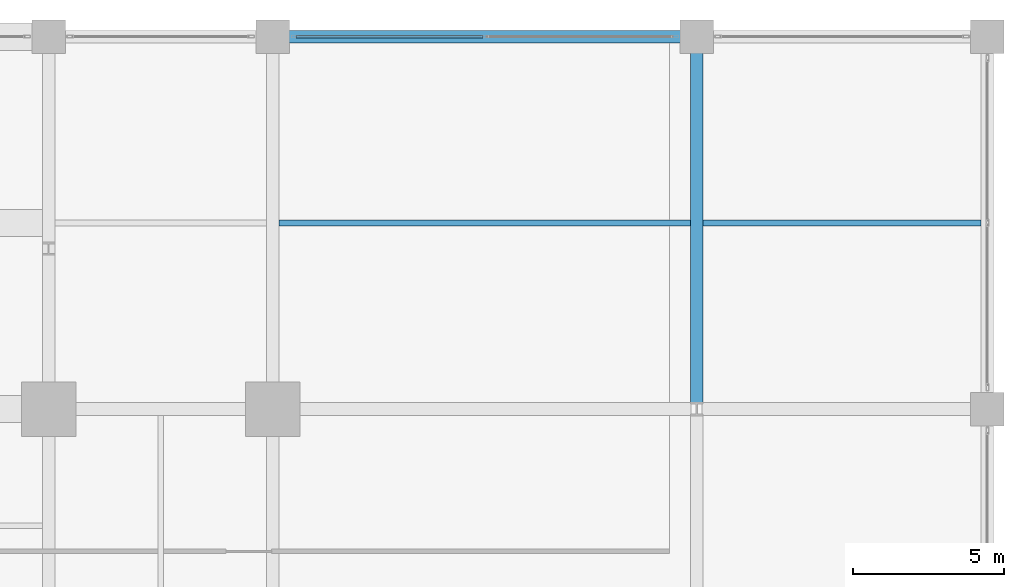
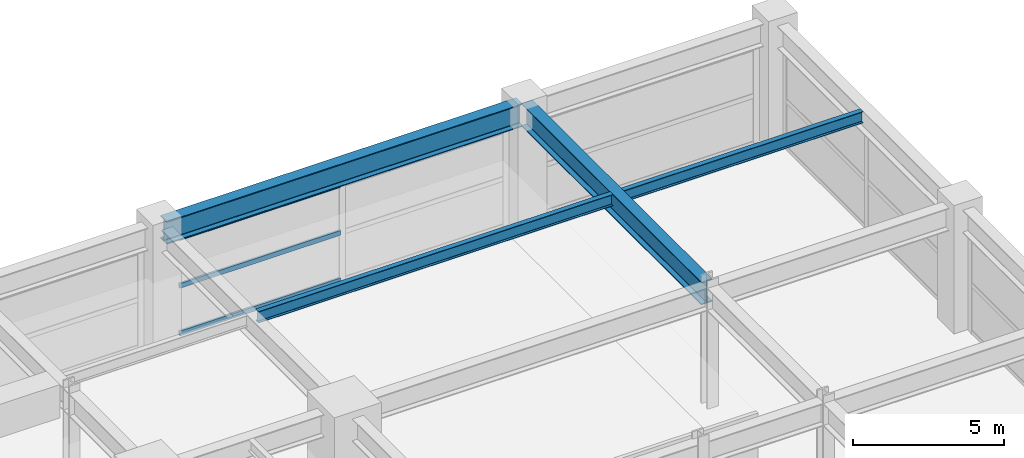
# One storey, part 32 of 45: 4 beams, 3 members, 1 element without a shape of its own.
"""IFC4 building model written with IfcOpenShell, lengths in metres."""

from ifc_helpers import new_model, si_unit, direction, frame, origin, origin_2d, place, context, subcontext, project, spatial, hollow_rectangle, i_section, extrude, material, material_profile, profile_set, type_object, element, aggregate, save


model = new_model("IFC4")

# Units and contexts
model_context = context("Model", 3, precision=1e-05, world=origin(), true_north=direction((0.0, 1.0)))
body_context = subcontext(model_context, "Body", "Model", "MODEL_VIEW")
ifc_project = project(units=[si_unit("LENGTHUNIT", "METRE"), si_unit("AREAUNIT", "SQUARE_METRE"), si_unit("VOLUMEUNIT", "CUBIC_METRE"), si_unit("PLANEANGLEUNIT", "RADIAN"), si_unit("MASSUNIT", "GRAM", prefix="KILO")], contexts=[model_context])

# Site, building, storey
site_placement = place(None, origin())
site = spatial("IfcSite", under=ifc_project, at=site_placement, CompositionType="ELEMENT")
building_placement = place(site_placement, origin())
building = spatial("IfcBuilding", under=site, at=building_placement, Name="Kovane Verandah Tower", CompositionType="ELEMENT")
storey_placement = place(building_placement, frame((0.0, 0.0, 6.0)))
storey = spatial("IfcBuildingStorey", under=building, at=storey_placement, Name="L01", CompositionType="ELEMENT", Elevation=6.0)

# Beams
ifc_material_1 = material(Name="Steel S460", Category="steel")
ifc_material_profile_1 = material_profile(ifc_material_1, i_section(OverallWidth=0.42041015625, OverallDepth=0.9208984375, WebThickness=0.021484375, FlangeThickness=0.03662109375, FilletRadius=0.024169921875, at=origin_2d()), Name="UB914x419x388")
ifc_profile_set_1 = profile_set([ifc_material_profile_1], Name="Steel S460")
beam_type_1 = type_object("IfcBeamType", Name="BM-UB914x388", PredefinedType="BEAM", material=ifc_profile_set_1)
beam_1_placement = place(storey_placement, frame((58.580078125, 56.5, 4.439453125), z_axis=(1.0, 0.0, 0.0), x_axis=(0.0, 1.0, 0.0)))
element("IfcBeam", 1, at=beam_1_placement, inside=storey, type_object=beam_type_1, Name="L01 Podium Grid Girder X22", PredefinedType="BEAM", context=body_context, shape_type="SweptSolid", body=[
    extrude(i_section(OverallWidth=0.42041015625, OverallDepth=0.9208984375, WebThickness=0.021484375, FlangeThickness=0.03662109375, FilletRadius=0.024169921875, at=origin_2d()), origin(), (0.0, 0.0, 1.0), 13.639892578125),
])
beam_2_placement = place(storey_placement, frame((72.39990234375, 44.3798828125, 4.439453125), z_axis=(0.0, 1.0, 0.0), x_axis=(-1.0, 0.0, 0.0)))
element("IfcBeam", 2, at=beam_2_placement, inside=storey, type_object=beam_type_1, Name="L01 Podium Grid Girder Y39", PredefinedType="BEAM", context=body_context, shape_type="SweptSolid", body=[
    extrude(i_section(OverallWidth=0.42041015625, OverallDepth=0.9208984375, WebThickness=0.021484375, FlangeThickness=0.03662109375, FilletRadius=0.024169921875, at=origin_2d()), origin(), (0.0, 0.0, 1.0), 11.940185546875),
])

# Curtain wall, members
ifc_material_2 = material(Name="Champagne Anodised Aluminium Frame with Low-E Clear Laminated Glass", Category="aluminium")
curtain_wall_type = type_object("IfcCurtainWallType", Name="CW-SYS-01-POD", PredefinedType="NOTDEFINED", material=ifc_material_2)
curtain_wall_placement = place(storey_placement, origin())
curtain_wall = element("IfcCurtainWall", 3, at=curtain_wall_placement, inside=storey, type_object=curtain_wall_type, Name="L01 North Podium Curtain Wall Bay 6", PredefinedType="NOTDEFINED")
ifc_material_3 = material(Name="Champagne Anodised Aluminium 6063-T6", Category="aluminium")
ifc_material_profile_2 = material_profile(ifc_material_3, hollow_rectangle(XDim=0.0849609375, YDim=0.18994140625, WallThickness=0.00390625, at=origin_2d()), Name="AL85x190x4")
ifc_profile_set_2 = profile_set([ifc_material_profile_2], Name="Champagne Anodised Aluminium 6063-T6")
member_type = type_object("IfcMemberType", Name="CW-TRN-85x190", PredefinedType="USERDEFINED", material=ifc_profile_set_2)
member_1_placement = place(storey_placement, frame((65.35009765625, 56.5, 0.050048828125), z_axis=(-1.0, 0.0, 0.0), x_axis=(0.0, -1.0, 0.0)))
member_1 = element("IfcMember", 4, at=member_1_placement, type_object=member_type, Name="L01 North Podium Curtain Wall Bay 6 Transom TB Bay 2", ObjectType="TRANSOM", PredefinedType="USERDEFINED", context=body_context, shape_type="SweptSolid", body=[
    extrude(hollow_rectangle(XDim=0.0849609375, YDim=0.18994140625, WallThickness=0.00390625, at=origin_2d()), origin(), (0.0, 0.0, 1.0), 6.18017578125),
])
member_2_placement = place(storey_placement, frame((65.35009765625, 56.5, 1.9794921875), z_axis=(-1.0, 0.0, 0.0), x_axis=(0.0, -1.0, 0.0)))
member_2 = element("IfcMember", 5, at=member_2_placement, type_object=member_type, Name="L01 North Podium Curtain Wall Bay 6 Transom TM Bay 2", ObjectType="TRANSOM", PredefinedType="USERDEFINED", context=body_context, shape_type="SweptSolid", body=[
    extrude(hollow_rectangle(XDim=0.0849609375, YDim=0.18994140625, WallThickness=0.00390625, at=origin_2d()), origin(), (0.0, 0.0, 1.0), 6.18017578125),
])
member_3_placement = place(storey_placement, frame((65.35009765625, 56.5, 3.908935546875), z_axis=(-1.0, 0.0, 0.0), x_axis=(0.0, -1.0, 0.0)))
member_3 = element("IfcMember", 6, at=member_3_placement, type_object=member_type, Name="L01 North Podium Curtain Wall Bay 6 Transom TT Bay 2", ObjectType="TRANSOM", PredefinedType="USERDEFINED", context=body_context, shape_type="SweptSolid", body=[
    extrude(hollow_rectangle(XDim=0.0849609375, YDim=0.18994140625, WallThickness=0.00390625, at=origin_2d()), origin(), (0.0, 0.0, 1.0), 6.18017578125),
])
aggregate(curtain_wall, [member_1, member_2, member_3])

# Beams
ifc_material_4 = material(Name="Steel S355", Category="steel")
ifc_material_profile_3 = material_profile(ifc_material_4, i_section(OverallWidth=0.19287109375, OverallDepth=0.46728515625, WebThickness=0.011474609375, FlangeThickness=0.01953125, FilletRadius=0.01025390625, at=origin_2d()), Name="UB457x191x98")
ifc_profile_set_3 = profile_set([ifc_material_profile_3], Name="Steel S355")
beam_type_2 = type_object("IfcBeamType", Name="JST-UB457x98", PredefinedType="JOIST", material=ifc_profile_set_3)
beam_3_placement = place(storey_placement, frame((58.608154296875, 50.35009765625, 4.66650390625), z_axis=(1.0, 0.0, 0.0), x_axis=(0.0, 1.0, 0.0)))
element("IfcBeam", 7, at=beam_3_placement, inside=storey, type_object=beam_type_2, Name="L01 Podium Secondary Joist 06", PredefinedType="JOIST", context=body_context, shape_type="SweptSolid", body=[
    extrude(i_section(OverallWidth=0.19287109375, OverallDepth=0.46728515625, WebThickness=0.011474609375, FlangeThickness=0.01953125, FilletRadius=0.01025390625, at=origin_2d()), origin(), (0.0, 0.0, 1.0), 13.583740234375),
])
beam_4_placement = place(storey_placement, frame((72.608154296875, 50.35009765625, 4.66650390625), z_axis=(1.0, 0.0, 0.0), x_axis=(0.0, 1.0, 0.0)))
element("IfcBeam", 8, at=beam_4_placement, inside=storey, type_object=beam_type_2, Name="L01 Podium Secondary Joist 07", PredefinedType="JOIST", context=body_context, shape_type="SweptSolid", body=[
    extrude(i_section(OverallWidth=0.19287109375, OverallDepth=0.46728515625, WebThickness=0.011474609375, FlangeThickness=0.01953125, FilletRadius=0.01025390625, at=origin_2d()), origin(), (0.0, 0.0, 1.0), 9.18359375),
])

save(model, "model.ifc")
